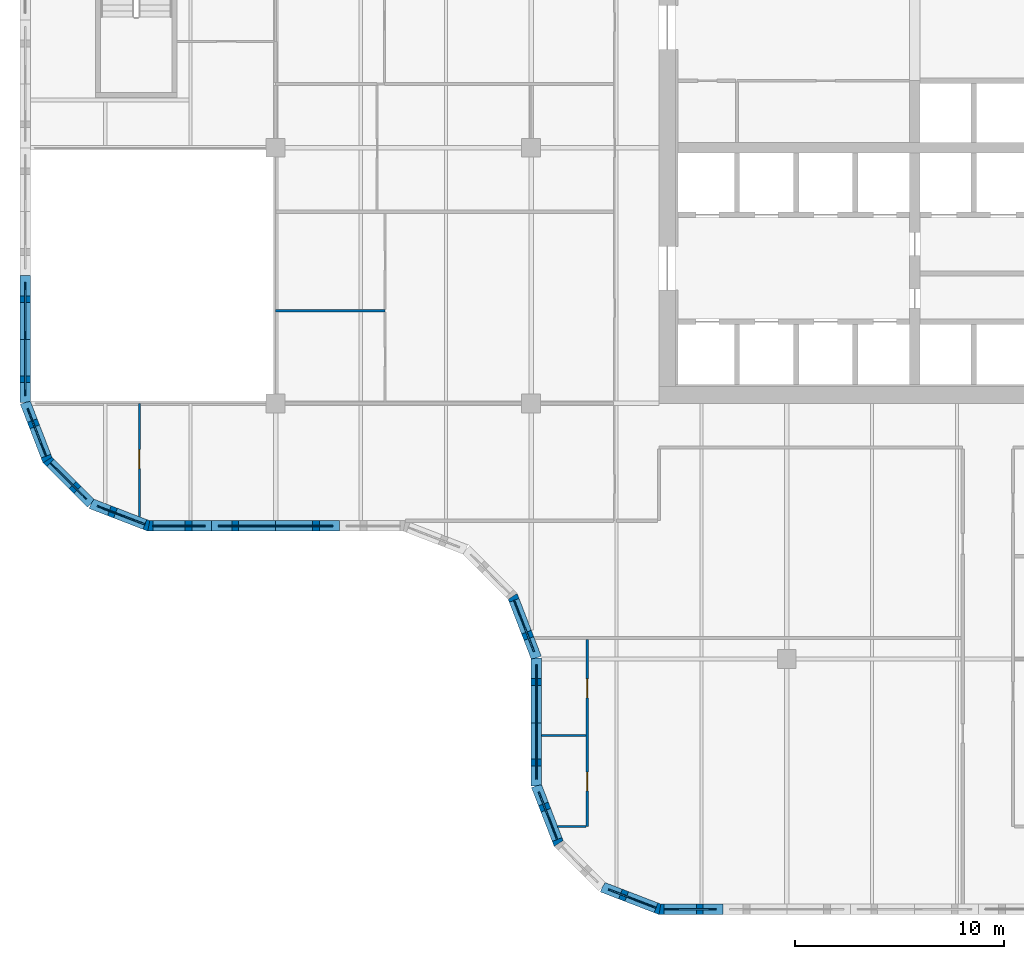
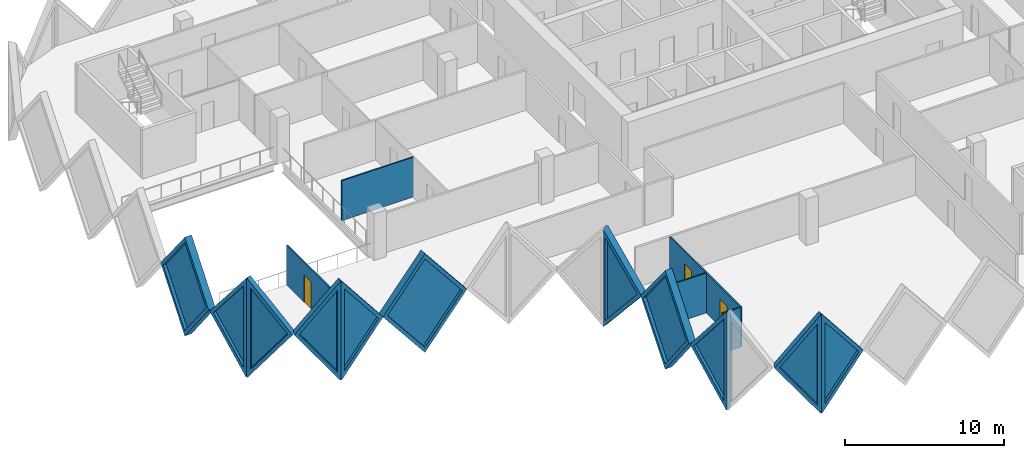
# One storey, part 4 of 19: 16 walls, 11 plates, 3 doors, 14 openings.
"""IFC4 building model written with IfcOpenShell, lengths in metres."""

from ifc_helpers import new_model, si_unit, direction, frame, frame_2d, origin, place, context, subcontext, project, spatial, polyline, rectangle, outline, extrude, faceted_brep, source, transform, mapped, material, layer, layer_set, type_object, element, fill, save


model = new_model("IFC4")

# Units and contexts
model_context = context("Model", 3, precision=1e-05, world=origin(), true_north=direction((0.0, 1.0)))
body_context = subcontext(model_context, "Body", "Model", "MODEL_VIEW")
ifc_project = project(units=[si_unit("LENGTHUNIT", "METRE"), si_unit("AREAUNIT", "SQUARE_METRE"), si_unit("VOLUMEUNIT", "CUBIC_METRE"), si_unit("PLANEANGLEUNIT", "RADIAN"), si_unit("MASSUNIT", "GRAM", prefix="KILO")], contexts=[model_context])

# Site, building, storey
site_placement = place(None, origin())
site = spatial("IfcSite", under=ifc_project, at=site_placement, CompositionType="ELEMENT")
building_placement = place(site_placement, origin())
building = spatial("IfcBuilding", under=site, at=building_placement, Name="Tessera Gate Towers", CompositionType="ELEMENT")
storey_placement = place(building_placement, frame((0.0, 0.0, 76.199951171875)))
storey = spatial("IfcBuildingStorey", under=building, at=storey_placement, Name="L18", CompositionType="ELEMENT", Elevation=76.199951171875)

# Wall, opening, door
ifc_material_1 = material(Name="Glass", Category="glass")
ifc_layer_1 = layer(ifc_material_1, 0.10009765625)
ifc_layer_set_1 = layer_set([ifc_layer_1], Name="GLAZED PARTITION 100")
wall_type_1 = type_object("IfcWallType", Name="GLAZED PARTITION 100", PredefinedType="PARTITIONING", material=ifc_layer_set_1)
wall_1_placement = place(storey_placement, frame((5.699951171875, 18.990234375, 0.0), z_axis=(0.0, 0.0, 1.0), x_axis=(0.0, 1.0, 0.0)))
wall_1 = element("IfcWall", 1, at=wall_1_placement, inside=storey, type_object=wall_type_1, Name="T1-L18-PW-021", PredefinedType="PARTITIONING", context=body_context, shape_type="SweptSolid", body=[
    extrude(rectangle(XDim=5.40966796875, YDim=0.10009765625, at=frame_2d((2.704833984375, 0.0))), origin(), (0.0, 0.0, 1.0), 3.067138671875),
])
shared_shape_1 = source(origin(), body_context, "Body", "SweptSolid", [
    extrude(rectangle(XDim=0.89990234375, YDim=2.10009765625, at=frame_2d((0.449951171875, 1.050048828125))), frame((0.0, 0.06005859375, 0.0), z_axis=(0.0, -1.0, 0.0), x_axis=(1.0, 0.0, 0.0)), (0.0, 0.0, 1.0), 0.1201171875),
])
opening_1_placement = place(wall_1_placement, frame((2.300048828125, 0.0, 0.0)))
opening_1 = element("IfcOpeningElement", 2, at=opening_1_placement, cuts=wall_1, Name="Opening D690-A06-05", PredefinedType="OPENING", context=body_context, shape_type="MappedRepresentation", body=[
    mapped(shared_shape_1, transform((0.0, 0.0, 0.0), scale=1.0)),
])
ifc_material_2 = material(Name="Glass in aluminium frame", Category="aluminium")
door_type_1 = type_object("IfcDoorType", Name="GLAZED DOOR 900 NOT RATED", OperationType="NOTDEFINED", PredefinedType="DOOR", material=ifc_material_2)
shared_shape_2 = source(origin(), body_context, "Body", "SweptSolid", [
    extrude(rectangle(XDim=0.89990234375, YDim=2.10009765625, at=frame_2d((0.449951171875, 1.050048828125))), frame((0.0, 0.02490234375, 0.0), z_axis=(0.0, -1.0, 0.0), x_axis=(1.0, 0.0, 0.0)), (0.0, 0.0, 1.0), 0.050048828125),
])
door_1_placement = place(opening_1_placement, origin())
door_1 = element("IfcDoor", 3, at=door_1_placement, inside=storey, type_object=door_type_1, Name="T1-L18-PD-013", OperationType="SINGLE_SWING_LEFT", OverallHeight=2.10009765625, OverallWidth=0.89990234375, PredefinedType="DOOR", context=body_context, shape_type="MappedRepresentation", body=[
    mapped(shared_shape_2, transform((0.0, 0.0, 0.0), scale=1.0)),
])
fill(opening_1, door_1)

# Wall
ifc_material_3 = material(Name="Gypsum board on steel studs", Category="steel")
ifc_layer_2 = layer(ifc_material_3, 0.10009765625)
ifc_layer_set_2 = layer_set([ifc_layer_2], Name="PARTITION 100")
wall_type_2 = type_object("IfcWallType", Name="PARTITION 100", PredefinedType="PARTITIONING", material=ifc_layer_set_2)
wall_2_placement = place(storey_placement, frame((25.668701171875, 4.199951171875, 0.0), z_axis=(0.0, 0.0, 1.0), x_axis=(1.0, 0.0, 0.0)))
element("IfcWall", 4, at=wall_2_placement, inside=storey, type_object=wall_type_2, Name="T1-L18-PW-003", PredefinedType="PARTITIONING", context=body_context, shape_type="SweptSolid", body=[
    extrude(rectangle(XDim=1.355224609375, YDim=0.10009765625, at=frame_2d((0.677734375, 0.0))), origin(), (0.0, 0.0, 1.0), 3.067138671875),
])

# Wall, openings, doors
wall_3_placement = place(storey_placement, frame((27.074951171875, 4.199951171875, 0.0), z_axis=(0.0, 0.0, 1.0), x_axis=(0.0, 1.0, 0.0)))
wall_3 = element("IfcWall", 5, at=wall_3_placement, inside=storey, type_object=wall_type_2, Name="T1-L18-PW-004", PredefinedType="PARTITIONING", context=body_context, shape_type="SweptSolid", body=[
    extrude(rectangle(XDim=8.924072265625, YDim=0.10009765625, at=frame_2d((4.4619140625, 0.0))), origin(), (0.0, 0.0, 1.0), 3.067138671875),
])
opening_2_placement = place(wall_3_placement, frame((6.147705078125, 0.0, 0.0)))
opening_2 = element("IfcOpeningElement", 6, at=opening_2_placement, cuts=wall_3, Name="Opening D190-A06-04", PredefinedType="OPENING", context=body_context, shape_type="MappedRepresentation", body=[
    mapped(shared_shape_1, transform((0.0, 0.0, 0.0), scale=1.0)),
])
opening_3_placement = place(wall_3_placement, frame((1.699951171875, 0.0, 0.0)))
opening_3 = element("IfcOpeningElement", 7, at=opening_3_placement, cuts=wall_3, Name="Opening D190-A06-06", PredefinedType="OPENING", context=body_context, shape_type="MappedRepresentation", body=[
    mapped(shared_shape_1, transform((0.0, 0.0, 0.0), scale=1.0)),
])
ifc_material_4 = material(Name="Timber door leaf in steel frame", Category="steel")
door_type_2 = type_object("IfcDoorType", Name="INTERNAL DOOR 900 NOT RATED", OperationType="NOTDEFINED", PredefinedType="DOOR", material=ifc_material_4)
door_2_placement = place(opening_2_placement, origin())
door_2 = element("IfcDoor", 8, at=door_2_placement, inside=storey, type_object=door_type_2, Name="T1-L18-PD-007", OperationType="SINGLE_SWING_LEFT", OverallHeight=2.10009765625, OverallWidth=0.89990234375, PredefinedType="DOOR", context=body_context, shape_type="MappedRepresentation", body=[
    mapped(shared_shape_2, transform((0.0, 0.0, 0.0), scale=1.0)),
])
fill(opening_2, door_2)
door_3_placement = place(opening_3_placement, origin())
door_3 = element("IfcDoor", 9, at=door_3_placement, inside=storey, type_object=door_type_2, Name="T1-L18-PD-014", OperationType="SINGLE_SWING_LEFT", OverallHeight=2.10009765625, OverallWidth=0.89990234375, PredefinedType="DOOR", context=body_context, shape_type="MappedRepresentation", body=[
    mapped(shared_shape_2, transform((0.0, 0.0, 0.0), scale=1.0)),
])
fill(opening_3, door_3)

# Walls
wall_4_placement = place(storey_placement, frame((24.89990234375, 8.548095703125, 0.0), z_axis=(0.0, 0.0, 1.0), x_axis=(1.0, 0.0, 0.0)))
element("IfcWall", 10, at=wall_4_placement, inside=storey, type_object=wall_type_2, Name="T1-L18-PW-008", PredefinedType="PARTITIONING", context=body_context, shape_type="SweptSolid", body=[
    extrude(rectangle(XDim=2.1240234375, YDim=0.10009765625, at=frame_2d((1.06201171875, 0.0))), origin(), (0.0, 0.0, 1.0), 3.067138671875),
])
wall_5_placement = place(storey_placement, frame((12.199951171875, 28.820068359375, 0.0), z_axis=(0.0, 0.0, 1.0), x_axis=(1.0, 0.0, 0.0)))
element("IfcWall", 11, at=wall_5_placement, inside=storey, type_object=wall_type_2, Name="T1-L18-PW-029", PredefinedType="PARTITIONING", context=body_context, shape_type="SweptSolid", body=[
    extrude(rectangle(XDim=5.22509765625, YDim=0.10009765625, at=frame_2d((2.612548828125, 0.0))), origin(), (0.0, 0.0, 1.0), 3.067138671875),
])

# Wall, opening, plate
ifc_material_5 = material(Name="Precast concrete C60/75 white", Category="concrete")
ifc_layer_3 = layer(ifc_material_5, 0.5)
ifc_layer_set_3 = layer_set([ifc_layer_3], Name="TS1 tessera")
wall_type_3 = type_object("IfcWallType", Name="TS1 tessera", PredefinedType="SOLIDWALL", material=ifc_layer_set_3)
shared_shape_3 = source(origin(), body_context, "Body", "SweptSolid", [
    extrude(outline(polyline([(3.050048828125, 0.0), (6.10009765625, 3.800048828125), (3.050048828125, 7.60009765625), (0.0, 3.800048828125), (3.050048828125, 0.0)])), frame((0.0, 0.25, 0.0), z_axis=(0.0, -1.0, 0.0), x_axis=(1.0, 0.0, 0.0)), (0.0, 0.0, 1.0), 0.5),
])
wall_6_placement = place(storey_placement, frame((9.14990234375, 18.550048828125, -3.800048828125), z_axis=(0.0, 0.0, 1.0), x_axis=(1.0, 0.0, 0.0)))
wall_6 = element("IfcWall", 12, at=wall_6_placement, inside=storey, type_object=wall_type_3, Name="Precast tessera T1 TS1-0274", PredefinedType="SOLIDWALL", context=body_context, shape_type="MappedRepresentation", body=[
    mapped(shared_shape_3, transform((0.0, 0.0, 0.0), scale=1.0)),
])
shared_shape_4 = source(origin(), body_context, "Body", "SweptSolid", [
    extrude(outline(polyline([(3.050048828125, 0.3994140625), (5.779541015625, 3.800048828125), (3.050048828125, 7.20068359375), (0.320556640625, 3.800048828125), (3.050048828125, 0.3994140625)])), frame((0.0, 0.260009765625, 0.0), z_axis=(0.0, -1.0, 0.0), x_axis=(1.0, 0.0, 0.0)), (0.0, 0.0, 1.0), 0.52001953125),
])
opening_4_placement = place(wall_6_placement, origin())
opening_4 = element("IfcOpeningElement", 13, at=opening_4_placement, cuts=wall_6, Name="Opening T1-PL2-0556", PredefinedType="OPENING", context=body_context, shape_type="MappedRepresentation", body=[
    mapped(shared_shape_4, transform((0.0, 0.0, 0.0), scale=1.0)),
])
ifc_material_6 = material(Name="Low-e laminated glass", Category="glass")
ifc_layer_4 = layer(ifc_material_6, 0.06005859375)
ifc_layer_set_4 = layer_set([ifc_layer_4], Name="PL2 rhombic pane")
plate_type = type_object("IfcPlateType", Name="PL2 rhombic pane", PredefinedType="SHEET", material=ifc_layer_set_4)
shared_shape_5 = source(origin(), body_context, "Body", "SweptSolid", [
    extrude(outline(polyline([(3.050048828125, 0.3994140625), (5.779541015625, 3.800048828125), (3.050048828125, 7.20068359375), (0.320556640625, 3.800048828125), (3.050048828125, 0.3994140625)])), frame((0.0, 0.030029296875, 0.0), z_axis=(0.0, -1.0, 0.0), x_axis=(1.0, 0.0, 0.0)), (0.0, 0.0, 1.0), 0.06005859375),
])
plate_1_placement = place(opening_4_placement, origin())
plate_1 = element("IfcPlate", 14, at=plate_1_placement, inside=storey, type_object=plate_type, Name="Glass pane T1 PL2-0556", PredefinedType="SHEET", context=body_context, shape_type="MappedRepresentation", body=[
    mapped(shared_shape_5, transform((0.0, 0.0, 0.0), scale=1.0)),
])
fill(opening_4, plate_1)

shared_shape_6 = source(origin(), body_context, "Body", "Brep", [
    faceted_brep([(3.050048828125, -0.25, 0.0), (6.053466796875, -0.25, 3.800048828125), (3.050048828125, -0.25, 7.60009765625), (0.0, -0.25, 3.800048828125), (0.0, 0.25, 3.800048828125), (3.050048828125, 0.25, 7.60009765625), (6.0068359375, 0.25, 3.85888671875), (6.0068359375, 0.25, 3.7412109375), (3.050048828125, 0.25, 0.0), (6.053466796875, 0.0, 3.800048828125)], [[[0, 1, 2, 3]], [[4, 5, 6, 7, 8]], [[8, 7, 9, 1, 0]], [[6, 5, 2, 1, 9]], [[5, 4, 3, 2]], [[4, 8, 0, 3]], [[9, 7, 6]]]),
])
wall_7_placement = place(storey_placement, frame((0.25, 30.5, -3.800048828125), z_axis=(0.0, 0.0, 1.0), x_axis=(0.0, -1.0, 0.0)))
wall_7 = element("IfcWall", 15, at=wall_7_placement, inside=storey, type_object=wall_type_3, Name="Precast tessera T1 TS1-0273", PredefinedType="SOLIDWALL", context=body_context, shape_type="MappedRepresentation", body=[
    mapped(shared_shape_6, transform((0.0, 0.0, 0.0), scale=1.0)),
])
shared_shape_7 = source(origin(), body_context, "Body", "SweptSolid", [
    extrude(outline(polyline([(3.048583984375, 0.4013671875), (5.73486328125, 3.800048828125), (3.048583984375, 7.19873046875), (0.320556640625, 3.800048828125), (3.048583984375, 0.4013671875)])), frame((0.0, 0.260009765625, 0.0), z_axis=(0.0, -1.0, 0.0), x_axis=(1.0, 0.0, 0.0)), (0.0, 0.0, 1.0), 0.52001953125),
])
opening_5_placement = place(wall_7_placement, origin())
opening_5 = element("IfcOpeningElement", 16, at=opening_5_placement, cuts=wall_7, Name="Opening T1-PL2-0551", PredefinedType="OPENING", context=body_context, shape_type="MappedRepresentation", body=[
    mapped(shared_shape_7, transform((0.0, 0.0, 0.0), scale=1.0)),
])
shared_shape_8 = source(origin(), body_context, "Body", "SweptSolid", [
    extrude(outline(polyline([(3.048583984375, 0.4013671875), (5.73486328125, 3.800048828125), (3.048583984375, 7.19873046875), (0.320556640625, 3.800048828125), (3.048583984375, 0.4013671875)])), frame((0.0, 0.030029296875, 0.0), z_axis=(0.0, -1.0, 0.0), x_axis=(1.0, 0.0, 0.0)), (0.0, 0.0, 1.0), 0.06005859375),
])
plate_2_placement = place(opening_5_placement, origin())
plate_2 = element("IfcPlate", 17, at=plate_2_placement, inside=storey, type_object=plate_type, Name="Glass pane T1 PL2-0551", PredefinedType="SHEET", context=body_context, shape_type="MappedRepresentation", body=[
    mapped(shared_shape_8, transform((0.0, 0.0, 0.0), scale=1.0)),
])
fill(opening_5, plate_2)

ifc_material_7 = material(Name="Precast concrete C60/75 white", Category="concrete")
ifc_layer_5 = layer(ifc_material_7, 0.5)
ifc_layer_set_5 = layer_set([ifc_layer_5], Name="TS3 corner tessera")
wall_type_4 = type_object("IfcWallType", Name="TS3 corner tessera", PredefinedType="SOLIDWALL", material=ifc_layer_set_5)
shared_shape_9 = source(origin(), body_context, "Body", "Brep", [
    faceted_brep([(2.950439453125, -0.25, 0.0), (3.00341796875, -0.25, 0.068359375), (3.00341796875, -0.25, 7.53173828125), (2.950439453125, -0.25, 7.60009765625), (0.0, -0.25, 3.800048828125), (0.046630859375, 0.25, 3.860107421875), (2.897705078125, 0.25, 7.531982421875), (2.897705078125, 0.25, 0.068115234375), (0.046630859375, 0.25, 3.739990234375), (2.950439453125, 0.00048828125, 0.0), (2.950439453125, 0.00048828125, 7.60009765625), (0.0, 0.0, 3.800048828125)], [[[0, 1, 2, 3, 4]], [[5, 6, 7, 8]], [[1, 0, 9]], [[10, 3, 2]], [[6, 5, 11, 4, 3, 10]], [[8, 7, 9, 0, 4, 11]], [[8, 11, 5]], [[1, 9, 7, 6, 10, 2]]]),
])
wall_8_placement = place(storey_placement, frame((24.64990234375, 6.146484375, -3.800048828125), z_axis=(0.0, 0.0, 1.0), x_axis=(0.359953949349, -0.932970071518, 0.0)))
wall_8 = element("IfcWall", 18, at=wall_8_placement, inside=storey, type_object=wall_type_4, Name="Precast corner tessera T1 TS3-0407", PredefinedType="SOLIDWALL", context=body_context, shape_type="MappedRepresentation", body=[
    mapped(shared_shape_9, transform((0.0, 0.0, 0.0), scale=1.0)),
])
shared_shape_10 = source(origin(), body_context, "Body", "SweptSolid", [
    extrude(outline(polyline([(2.75048828125, 6.934814453125), (0.31640625, 3.800048828125), (2.75048828125, 0.665283203125), (2.75048828125, 6.934814453125)])), frame((0.0, 0.260009765625, 0.0), z_axis=(0.0, -1.0, 0.0), x_axis=(1.0, 0.0, 0.0)), (0.0, 0.0, 1.0), 0.52001953125),
])
opening_6_placement = place(wall_8_placement, origin())
opening_6 = element("IfcOpeningElement", 19, at=opening_6_placement, cuts=wall_8, Name="Opening T1-PL2-0562", PredefinedType="OPENING", context=body_context, shape_type="MappedRepresentation", body=[
    mapped(shared_shape_10, transform((0.0, 0.0, 0.0), scale=1.0)),
])
shared_shape_11 = source(origin(), body_context, "Body", "SweptSolid", [
    extrude(outline(polyline([(2.75048828125, 6.934814453125), (0.31640625, 3.800048828125), (2.75048828125, 0.665283203125), (2.75048828125, 6.934814453125)])), frame((0.0, 0.030029296875, 0.0), z_axis=(0.0, -1.0, 0.0), x_axis=(1.0, 0.0, 0.0)), (0.0, 0.0, 1.0), 0.06005859375),
])
plate_3_placement = place(opening_6_placement, origin())
plate_3 = element("IfcPlate", 20, at=plate_3_placement, inside=storey, type_object=plate_type, Name="Glass pane T1 PL2-0562", PredefinedType="SHEET", context=body_context, shape_type="MappedRepresentation", body=[
    mapped(shared_shape_11, transform((0.0, 0.0, 0.0), scale=1.0)),
])
fill(opening_6, plate_3)

shared_shape_12 = source(origin(), body_context, "Body", "Brep", [
    faceted_brep([(0.052978515625, -0.25, 0.0), (2.9970703125, -0.25, 3.800048828125), (0.052978515625, -0.25, 7.60009765625), (0.0, -0.25, 7.531982421875), (0.0, -0.25, 0.068115234375), (0.10595703125, 0.25, 7.53173828125), (2.944091796875, 0.25, 3.8681640625), (2.944091796875, 0.25, 3.73193359375), (0.10595703125, 0.25, 0.068359375), (2.9970703125, 0.000244140625, 3.800048828125), (0.052978515625, 0.0, 0.0), (0.052978515625, 0.0, 7.60009765625)], [[[0, 1, 2, 3, 4]], [[5, 6, 7, 8]], [[8, 7, 9, 1, 0, 10]], [[6, 5, 11, 2, 1, 9]], [[3, 2, 11]], [[10, 0, 4]], [[8, 10, 4, 3, 11, 5]], [[9, 7, 6]]]),
])
wall_9_placement = place(storey_placement, frame((1.2744140625, 21.731201171875, -3.800048828125), z_axis=(0.0, 0.0, 1.0), x_axis=(0.707147509625, -0.707066050402, 0.0)))
wall_9 = element("IfcWall", 21, at=wall_9_placement, inside=storey, type_object=wall_type_4, Name="Precast corner tessera T1 TS3-0400", PredefinedType="SOLIDWALL", context=body_context, shape_type="MappedRepresentation", body=[
    mapped(shared_shape_12, transform((0.0, 0.0, 0.0), scale=1.0)),
])
shared_shape_13 = source(origin(), body_context, "Body", "SweptSolid", [
    extrude(outline(polyline([(0.2529296875, 0.66650390625), (2.680908203125, 3.800048828125), (0.2529296875, 6.933837890625), (0.2529296875, 0.66650390625)])), frame((0.0, 0.260009765625, 0.0), z_axis=(0.0, -1.0, 0.0), x_axis=(1.0, 0.0, 0.0)), (0.0, 0.0, 1.0), 0.52001953125),
])
opening_7_placement = place(wall_9_placement, origin())
opening_7 = element("IfcOpeningElement", 22, at=opening_7_placement, cuts=wall_9, Name="Opening T1-PL2-0553", PredefinedType="OPENING", context=body_context, shape_type="MappedRepresentation", body=[
    mapped(shared_shape_13, transform((0.0, 0.0, 0.0), scale=1.0)),
])
shared_shape_14 = source(origin(), body_context, "Body", "SweptSolid", [
    extrude(outline(polyline([(0.2529296875, 0.66650390625), (2.680908203125, 3.800048828125), (0.2529296875, 6.933837890625), (0.2529296875, 0.66650390625)])), frame((0.0, 0.030029296875, 0.0), z_axis=(0.0, -1.0, 0.0), x_axis=(1.0, 0.0, 0.0)), (0.0, 0.0, 1.0), 0.06005859375),
])
plate_4_placement = place(opening_7_placement, origin())
plate_4 = element("IfcPlate", 23, at=plate_4_placement, inside=storey, type_object=plate_type, Name="Glass pane T1 PL2-0553", PredefinedType="SHEET", context=body_context, shape_type="MappedRepresentation", body=[
    mapped(shared_shape_14, transform((0.0, 0.0, 0.0), scale=1.0)),
])
fill(opening_7, plate_4)

shared_shape_15 = source(origin(), body_context, "Body", "Brep", [
    faceted_brep([(2.950439453125, -0.25, 0.0), (2.9970703125, -0.25, 0.05908203125), (2.9970703125, -0.25, 7.541015625), (2.950439453125, -0.25, 7.60009765625), (0.0, -0.25, 3.800048828125), (0.052978515625, 0.25, 3.8681640625), (2.904052734375, 0.25, 7.540283203125), (2.904052734375, 0.25, 0.059814453125), (0.052978515625, 0.25, 3.73193359375), (2.950439453125, 0.00048828125, 0.0), (2.950439453125, 0.00048828125, 7.60009765625), (0.0, 0.0, 3.800048828125)], [[[0, 1, 2, 3, 4]], [[5, 6, 7, 8]], [[1, 0, 9]], [[10, 3, 2]], [[6, 5, 11, 4, 3, 10]], [[8, 7, 9, 0, 4, 11]], [[8, 11, 5]], [[1, 9, 7, 6, 10, 2]]]),
])
wall_10_placement = place(storey_placement, frame((3.393798828125, 19.61181640625, -3.800048828125), z_axis=(0.0, 0.0, 1.0), x_axis=(0.932990326376, -0.359901446078, 0.0)))
wall_10 = element("IfcWall", 24, at=wall_10_placement, inside=storey, type_object=wall_type_4, Name="Precast corner tessera T1 TS3-0401", PredefinedType="SOLIDWALL", context=body_context, shape_type="MappedRepresentation", body=[
    mapped(shared_shape_15, transform((0.0, 0.0, 0.0), scale=1.0)),
])
opening_8_placement = place(wall_10_placement, origin())
opening_8 = element("IfcOpeningElement", 25, at=opening_8_placement, cuts=wall_10, Name="Opening T1-PL2-0554", PredefinedType="OPENING", context=body_context, shape_type="MappedRepresentation", body=[
    mapped(shared_shape_10, transform((0.0, 0.0, 0.0), scale=1.0)),
])
plate_5_placement = place(opening_8_placement, origin())
plate_5 = element("IfcPlate", 26, at=plate_5_placement, inside=storey, type_object=plate_type, Name="Glass pane T1 PL2-0554", PredefinedType="SHEET", context=body_context, shape_type="MappedRepresentation", body=[
    mapped(shared_shape_11, transform((0.0, 0.0, 0.0), scale=1.0)),
])
fill(opening_8, plate_5)

shared_shape_16 = source(origin(), body_context, "Body", "Brep", [
    faceted_brep([(0.046630859375, -0.25, 0.0), (3.050048828125, -0.25, 3.800048828125), (0.046630859375, -0.25, 7.60009765625), (0.0, -0.25, 7.5400390625), (0.0, -0.25, 0.06005859375), (0.09326171875, 0.25, 7.541259765625), (3.050048828125, 0.25, 3.800048828125), (0.09326171875, 0.25, 0.058837890625), (0.046630859375, 0.0, 0.0), (0.046630859375, 0.0, 7.60009765625)], [[[0, 1, 2, 3, 4]], [[5, 6, 7]], [[7, 6, 1, 0, 8]], [[6, 5, 9, 2, 1]], [[3, 2, 9]], [[8, 0, 4]], [[7, 8, 4, 3, 9, 5]]]),
])
wall_11_placement = place(storey_placement, frame((30.5, 0.25, -3.800048828125), z_axis=(0.0, 0.0, 1.0), x_axis=(1.0, 0.0, 0.0)))
wall_11 = element("IfcWall", 27, at=wall_11_placement, inside=storey, type_object=wall_type_4, Name="Precast corner tessera T1 TS3-0385", PredefinedType="SOLIDWALL", context=body_context, shape_type="MappedRepresentation", body=[
    mapped(shared_shape_16, transform((0.0, 0.0, 0.0), scale=1.0)),
])
shared_shape_17 = source(origin(), body_context, "Body", "SweptSolid", [
    extrude(outline(polyline([(0.24658203125, 0.65625), (2.7314453125, 3.800048828125), (0.24658203125, 6.94384765625), (0.24658203125, 0.65625)])), frame((0.0, 0.260009765625, 0.0), z_axis=(0.0, -1.0, 0.0), x_axis=(1.0, 0.0, 0.0)), (0.0, 0.0, 1.0), 0.52001953125),
])
opening_9_placement = place(wall_11_placement, origin())
opening_9 = element("IfcOpeningElement", 28, at=opening_9_placement, cuts=wall_11, Name="Opening T1-PL2-0517", PredefinedType="OPENING", context=body_context, shape_type="MappedRepresentation", body=[
    mapped(shared_shape_17, transform((0.0, 0.0, 0.0), scale=1.0)),
])
shared_shape_18 = source(origin(), body_context, "Body", "SweptSolid", [
    extrude(outline(polyline([(0.24658203125, 0.65625), (2.7314453125, 3.800048828125), (0.24658203125, 6.94384765625), (0.24658203125, 0.65625)])), frame((0.0, 0.030029296875, 0.0), z_axis=(0.0, -1.0, 0.0), x_axis=(1.0, 0.0, 0.0)), (0.0, 0.0, 1.0), 0.06005859375),
])
plate_6_placement = place(opening_9_placement, origin())
plate_6 = element("IfcPlate", 29, at=plate_6_placement, inside=storey, type_object=plate_type, Name="Glass pane T1 PL2-0517", PredefinedType="SHEET", context=body_context, shape_type="MappedRepresentation", body=[
    mapped(shared_shape_18, transform((0.0, 0.0, 0.0), scale=1.0)),
])
fill(opening_9, plate_6)

wall_12_placement = place(storey_placement, frame((6.099853515625, 18.550048828125, -3.800048828125), z_axis=(0.0, 0.0, 1.0), x_axis=(1.0, 0.0, 0.0)))
wall_12 = element("IfcWall", 30, at=wall_12_placement, inside=storey, type_object=wall_type_4, Name="Precast corner tessera T1 TS3-0402", PredefinedType="SOLIDWALL", context=body_context, shape_type="MappedRepresentation", body=[
    mapped(shared_shape_16, transform((0.0, 0.0, 0.0), scale=1.0)),
])
opening_10_placement = place(wall_12_placement, origin())
opening_10 = element("IfcOpeningElement", 31, at=opening_10_placement, cuts=wall_12, Name="Opening T1-PL2-0555", PredefinedType="OPENING", context=body_context, shape_type="MappedRepresentation", body=[
    mapped(shared_shape_17, transform((0.0, 0.0, 0.0), scale=1.0)),
])
plate_7_placement = place(opening_10_placement, origin())
plate_7 = element("IfcPlate", 32, at=plate_7_placement, inside=storey, type_object=plate_type, Name="Glass pane T1 PL2-0555", PredefinedType="SHEET", context=body_context, shape_type="MappedRepresentation", body=[
    mapped(shared_shape_18, transform((0.0, 0.0, 0.0), scale=1.0)),
])
fill(opening_10, plate_7)

shared_shape_19 = source(origin(), body_context, "Body", "Brep", [
    faceted_brep([(2.950439453125, -0.25, 0.0), (2.9970703125, -0.25, 0.05908203125), (2.9970703125, -0.25, 7.541015625), (2.950439453125, -0.25, 7.60009765625), (0.0, -0.25, 3.800048828125), (0.052978515625, 0.25, 3.8681640625), (2.904052734375, 0.25, 7.540283203125), (2.904052734375, 0.25, 0.059814453125), (0.052978515625, 0.25, 3.73193359375), (2.950439453125, 0.00048828125, 0.0), (2.950439453125, 0.00048828125, 7.60009765625), (0.0, 0.0, 3.800048828125)], [[[0, 1, 2, 3, 4]], [[5, 6, 7, 8]], [[1, 0, 9]], [[10, 3, 2]], [[6, 5, 11, 4, 3, 10]], [[8, 7, 9, 0, 4, 11]], [[8, 11, 5]], [[1, 9, 7, 6, 10, 2]]]),
])
wall_13_placement = place(storey_placement, frame((27.793701171875, 1.31201171875, -3.800048828125), z_axis=(0.0, 0.0, 1.0), x_axis=(0.932973525033, -0.359944998003, 0.0)))
wall_13 = element("IfcWall", 33, at=wall_13_placement, inside=storey, type_object=wall_type_4, Name="Precast corner tessera T1 TS3-0386", PredefinedType="SOLIDWALL", context=body_context, shape_type="MappedRepresentation", body=[
    mapped(shared_shape_19, transform((0.0, 0.0, 0.0), scale=1.0)),
])
opening_11_placement = place(wall_13_placement, origin())
opening_11 = element("IfcOpeningElement", 34, at=opening_11_placement, cuts=wall_13, Name="Opening T1-PL2-0518", PredefinedType="OPENING", context=body_context, shape_type="MappedRepresentation", body=[
    mapped(shared_shape_10, transform((0.0, 0.0, 0.0), scale=1.0)),
])
plate_8_placement = place(opening_11_placement, origin())
plate_8 = element("IfcPlate", 35, at=plate_8_placement, inside=storey, type_object=plate_type, Name="Glass pane T1 PL2-0518", PredefinedType="SHEET", context=body_context, shape_type="MappedRepresentation", body=[
    mapped(shared_shape_11, transform((0.0, 0.0, 0.0), scale=1.0)),
])
fill(opening_11, plate_8)

shared_shape_20 = source(origin(), body_context, "Body", "Brep", [
    faceted_brep([(2.950439453125, -0.25, 0.0), (3.00341796875, -0.25, 0.068359375), (3.00341796875, -0.25, 7.53173828125), (2.950439453125, -0.25, 7.60009765625), (0.0, -0.25, 3.800048828125), (0.046630859375, 0.25, 3.860107421875), (2.897705078125, 0.25, 7.531982421875), (2.897705078125, 0.25, 0.068115234375), (0.046630859375, 0.25, 3.739990234375), (2.950439453125, 0.00048828125, 0.0), (2.950439453125, 0.00048828125, 7.60009765625), (0.0, 0.0, 3.800048828125)], [[[0, 1, 2, 3, 4]], [[5, 6, 7, 8]], [[1, 0, 9]], [[10, 3, 2]], [[6, 5, 11, 4, 3, 10]], [[8, 7, 9, 0, 4, 11]], [[8, 11, 5]], [[1, 9, 7, 6, 10, 2]]]),
])
wall_14_placement = place(storey_placement, frame((0.25, 24.446533203125, -3.800048828125), z_axis=(0.0, 0.0, 1.0), x_axis=(0.35992665181, -0.932980602862, 0.0)))
wall_14 = element("IfcWall", 36, at=wall_14_placement, inside=storey, type_object=wall_type_4, Name="Precast corner tessera T1 TS3-0399", PredefinedType="SOLIDWALL", context=body_context, shape_type="MappedRepresentation", body=[
    mapped(shared_shape_20, transform((0.0, 0.0, 0.0), scale=1.0)),
])
opening_12_placement = place(wall_14_placement, origin())
opening_12 = element("IfcOpeningElement", 37, at=opening_12_placement, cuts=wall_14, Name="Opening T1-PL2-0552", PredefinedType="OPENING", context=body_context, shape_type="MappedRepresentation", body=[
    mapped(shared_shape_10, transform((0.0, 0.0, 0.0), scale=1.0)),
])
plate_9_placement = place(opening_12_placement, origin())
plate_9 = element("IfcPlate", 38, at=plate_9_placement, inside=storey, type_object=plate_type, Name="Glass pane T1 PL2-0552", PredefinedType="SHEET", context=body_context, shape_type="MappedRepresentation", body=[
    mapped(shared_shape_11, transform((0.0, 0.0, 0.0), scale=1.0)),
])
fill(opening_12, plate_9)

shared_shape_21 = source(origin(), body_context, "Body", "Brep", [
    faceted_brep([(0.10595703125, -0.25, 0.06396484375), (3.156005859375, -0.25, 3.743896484375), (3.156005859375, -0.25, 3.856201171875), (0.10595703125, -0.25, 7.5361328125), (0.0, 0.25, 7.536376953125), (0.052978515625, 0.25, 7.60009765625), (3.202392578125, 0.25, 3.800048828125), (0.052978515625, 0.25, 0.0), (0.0, 0.25, 0.063720703125), (3.202392578125, -0.000244140625, 3.800048828125), (0.052978515625, 0.0, 0.0), (0.052978515625, 0.0, 7.60009765625)], [[[0, 1, 2, 3]], [[4, 5, 6, 7, 8]], [[7, 6, 9, 1, 0, 10]], [[6, 5, 11, 3, 2, 9]], [[5, 4, 11]], [[8, 7, 10]], [[8, 10, 0, 3, 11, 4]], [[1, 9, 2]]]),
])
wall_15_placement = place(storey_placement, frame((23.497314453125, 15.234375, -3.800048828125), z_axis=(0.0, 0.0, 1.0), x_axis=(0.359913782069, -0.932985567668, 0.0)))
wall_15 = element("IfcWall", 39, at=wall_15_placement, inside=storey, type_object=wall_type_4, Name="Precast corner tessera T1 TS3-0406", PredefinedType="SOLIDWALL", context=body_context, shape_type="MappedRepresentation", body=[
    mapped(shared_shape_21, transform((0.0, 0.0, 0.0), scale=1.0)),
])
shared_shape_22 = source(origin(), body_context, "Body", "SweptSolid", [
    extrude(outline(polyline([(0.2529296875, 0.63330078125), (2.877685546875, 3.800048828125), (0.2529296875, 6.967041015625), (0.2529296875, 0.63330078125)])), frame((0.0, 0.260009765625, 0.0), z_axis=(0.0, -1.0, 0.0), x_axis=(1.0, 0.0, 0.0)), (0.0, 0.0, 1.0), 0.52001953125),
])
opening_13_placement = place(wall_15_placement, origin())
opening_13 = element("IfcOpeningElement", 40, at=opening_13_placement, cuts=wall_15, Name="Opening T1-PL2-0560", PredefinedType="OPENING", context=body_context, shape_type="MappedRepresentation", body=[
    mapped(shared_shape_22, transform((0.0, 0.0, 0.0), scale=1.0)),
])
shared_shape_23 = source(origin(), body_context, "Body", "SweptSolid", [
    extrude(outline(polyline([(0.2529296875, 0.63330078125), (2.877685546875, 3.800048828125), (0.2529296875, 6.967041015625), (0.2529296875, 0.63330078125)])), frame((0.0, 0.030029296875, 0.0), z_axis=(0.0, -1.0, 0.0), x_axis=(1.0, 0.0, 0.0)), (0.0, 0.0, 1.0), 0.06005859375),
])
plate_10_placement = place(opening_13_placement, origin())
plate_10 = element("IfcPlate", 41, at=plate_10_placement, inside=storey, type_object=plate_type, Name="Glass pane T1 PL2-0560", PredefinedType="SHEET", context=body_context, shape_type="MappedRepresentation", body=[
    mapped(shared_shape_23, transform((0.0, 0.0, 0.0), scale=1.0)),
])
fill(opening_13, plate_10)

shared_shape_24 = source(origin(), body_context, "Body", "Brep", [
    faceted_brep([(3.096435546875, -0.25, 0.0), (6.10009765625, -0.25, 3.800048828125), (3.096435546875, -0.25, 7.60009765625), (0.046630859375, -0.25, 3.857177734375), (0.046630859375, -0.25, 3.742919921875), (0.0, 0.25, 3.800048828125), (3.096435546875, 0.25, 7.60009765625), (6.053466796875, 0.25, 3.859130859375), (6.053466796875, 0.25, 3.740966796875), (3.096435546875, 0.25, 0.0), (6.10009765625, -0.00048828125, 3.800048828125), (0.0, 0.0, 3.800048828125)], [[[0, 1, 2, 3, 4]], [[5, 6, 7, 8, 9]], [[9, 8, 10, 1, 0]], [[7, 6, 2, 1, 10]], [[6, 5, 11, 3, 2]], [[5, 9, 0, 4, 11]], [[11, 4, 3]], [[10, 8, 7]]]),
])
wall_16_placement = place(storey_placement, frame((24.64990234375, 12.24658203125, -3.800048828125), z_axis=(0.0, 0.0, 1.0), x_axis=(0.0, -1.0, 0.0)))
wall_16 = element("IfcWall", 42, at=wall_16_placement, inside=storey, type_object=wall_type_3, Name="Precast tessera T1 TS1-0275", PredefinedType="SOLIDWALL", context=body_context, shape_type="MappedRepresentation", body=[
    mapped(shared_shape_24, transform((0.0, 0.0, 0.0), scale=1.0)),
])
shared_shape_25 = source(origin(), body_context, "Body", "SweptSolid", [
    extrude(outline(polyline([(3.093505859375, 0.3994140625), (5.78125, 3.800048828125), (3.093505859375, 7.20068359375), (0.322509765625, 3.800048828125), (3.093505859375, 0.3994140625)])), frame((0.0, 0.260009765625, 0.0), z_axis=(0.0, -1.0, 0.0), x_axis=(1.0, 0.0, 0.0)), (0.0, 0.0, 1.0), 0.52001953125),
])
opening_14_placement = place(wall_16_placement, origin())
opening_14 = element("IfcOpeningElement", 43, at=opening_14_placement, cuts=wall_16, Name="Opening T1-PL2-0561", PredefinedType="OPENING", context=body_context, shape_type="MappedRepresentation", body=[
    mapped(shared_shape_25, transform((0.0, 0.0, 0.0), scale=1.0)),
])
shared_shape_26 = source(origin(), body_context, "Body", "SweptSolid", [
    extrude(outline(polyline([(3.093505859375, 0.3994140625), (5.78125, 3.800048828125), (3.093505859375, 7.20068359375), (0.322509765625, 3.800048828125), (3.093505859375, 0.3994140625)])), frame((0.0, 0.030029296875, 0.0), z_axis=(0.0, -1.0, 0.0), x_axis=(1.0, 0.0, 0.0)), (0.0, 0.0, 1.0), 0.06005859375),
])
plate_11_placement = place(opening_14_placement, origin())
plate_11 = element("IfcPlate", 44, at=plate_11_placement, inside=storey, type_object=plate_type, Name="Glass pane T1 PL2-0561", PredefinedType="SHEET", context=body_context, shape_type="MappedRepresentation", body=[
    mapped(shared_shape_26, transform((0.0, 0.0, 0.0), scale=1.0)),
])
fill(opening_14, plate_11)

save(model, "model.ifc")
